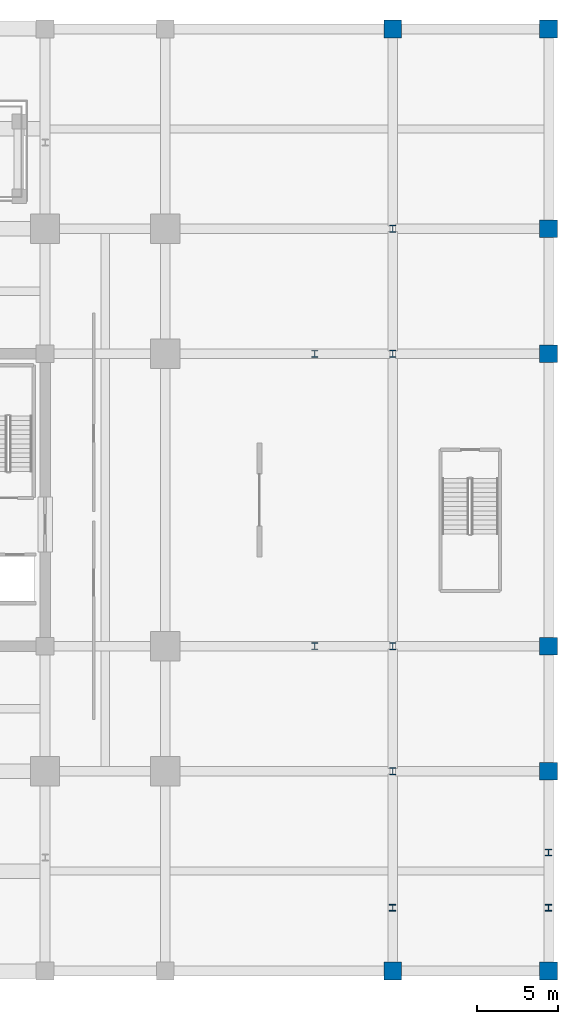
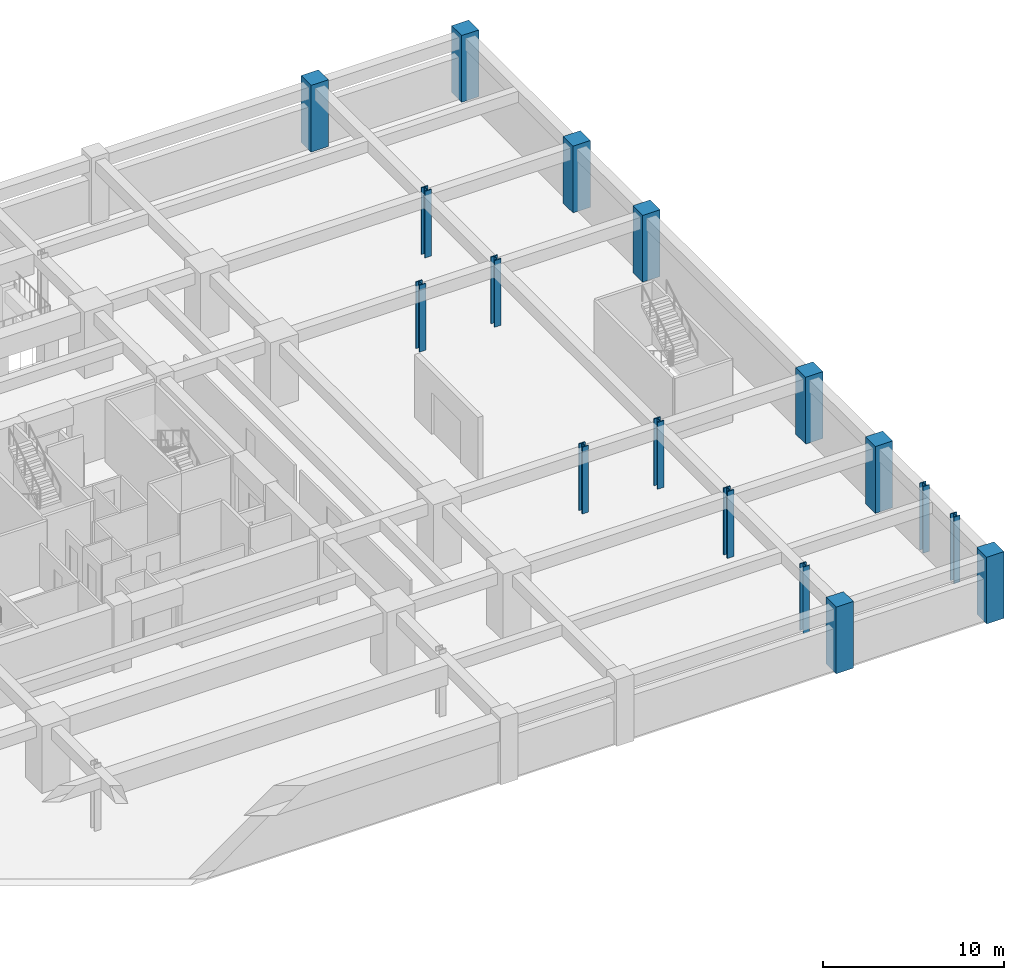
# One storey, part 3 of 16: 17 columns.
"""IFC4 building model written with IfcOpenShell, lengths in metres."""

from ifc_helpers import new_model, si_unit, direction, frame, origin, origin_2d, place, context, subcontext, project, spatial, rectangle, i_section, extrude, material, material_profile, profile_set, type_object, element, save


model = new_model("IFC4")

# Units and contexts
model_context = context("Model", 3, precision=1e-05, world=origin(), true_north=direction((0.0, 1.0)))
body_context = subcontext(model_context, "Body", "Model", "MODEL_VIEW")
ifc_project = project(units=[si_unit("LENGTHUNIT", "METRE"), si_unit("AREAUNIT", "SQUARE_METRE"), si_unit("VOLUMEUNIT", "CUBIC_METRE"), si_unit("PLANEANGLEUNIT", "RADIAN"), si_unit("MASSUNIT", "GRAM", prefix="KILO")], contexts=[model_context])

# Site, building, storey
site_placement = place(None, origin())
site = spatial("IfcSite", under=ifc_project, at=site_placement, CompositionType="ELEMENT")
building_placement = place(site_placement, origin())
building = spatial("IfcBuilding", under=site, at=building_placement, Name="Kovane Verandah Tower", CompositionType="ELEMENT")
storey_placement = place(building_placement, frame((0.0, 0.0, -4.5)))
storey = spatial("IfcBuildingStorey", under=building, at=storey_placement, Name="B1", CompositionType="ELEMENT", Elevation=-4.5)

# Columns
ifc_material_1 = material(Name="Concrete C60/75", Category="concrete")
ifc_material_profile_1 = material_profile(ifc_material_1, rectangle(XDim=1.10009765625, YDim=1.10009765625, at=origin_2d()), Name="RC1100x1100")
ifc_profile_set_1 = profile_set([ifc_material_profile_1], Name="Concrete C60/75")
column_type_1 = type_object("IfcColumnType", Name="COL-POD1100", PredefinedType="COLUMN", material=ifc_profile_set_1)
for number, where, z_axis, x_axis, name in (
    (1, (82.0, -1.5, 0.0), (0.0, 0.0, 1.0), (1.0, 0.0, 0.0), "B1 Podium Column PC-E0"),
    (2, (82.0, 10.800048828125, 0.0), (0.0, 0.0, 1.0), (1.0, 0.0, 0.0), "B1 Podium Column PC-E1"),
    (3, (82.0, 18.5, 0.0), (0.0, 0.0, 1.0), (1.0, 0.0, 0.0), "B1 Podium Column PC-E2"),
    (4, (82.0, 36.5, 0.0), (0.0, 0.0, 1.0), (1.0, 0.0, 0.0), "B1 Podium Column PC-E3"),
    (5, (82.0, 44.199951171875, 0.0), (0.0, 0.0, 1.0), (1.0, 0.0, 0.0), "B1 Podium Column PC-E4"),
    (6, (82.0, 56.5, 0.0), (0.0, 0.0, 1.0), (1.0, 0.0, 0.0), "B1 Podium Column PC-E5"),
    (7, (72.39990234375, -1.5, 0.0), (0.0, 0.0, 1.0), (1.0, 0.0, 0.0), "B1 Podium Column PC-S6"),
    (8, (72.39990234375, 56.5, 0.0), (0.0, 0.0, 1.0), (1.0, 0.0, 0.0), "B1 Podium Column PC-N6"),
):
    element("IfcColumn", number, at=place(storey_placement, frame(where, z_axis=z_axis, x_axis=x_axis)), inside=storey, type_object=column_type_1, Name=name, PredefinedType="COLUMN", context=body_context, shape_type="SweptSolid", body=[
        extrude(rectangle(XDim=1.10009765625, YDim=1.10009765625, at=origin_2d()), origin(), (0.0, 0.0, 1.0), 4.5),
    ])
ifc_material_2 = material(Name="Steel S460", Category="steel")
ifc_material_profile_2 = material_profile(ifc_material_2, i_section(OverallWidth=0.403076171875, OverallDepth=0.406494140625, WebThickness=0.026611328125, FlangeThickness=0.04296875, FilletRadius=0.01513671875, at=origin_2d()), Name="UC356x406x340")
ifc_profile_set_2 = profile_set([ifc_material_profile_2], Name="Steel S460")
column_type_2 = type_object("IfcColumnType", Name="COL-UC340", PredefinedType="COLUMN", material=ifc_profile_set_2)
for number, where, z_axis, x_axis, name in (
    (9, (72.39990234375, 2.39990234375, 0.0), (0.0, 0.0, 1.0), (1.0, 0.0, 0.0), "B1 South Terrace Step Column S1-3"),
    (10, (82.0, 2.39990234375, 0.0), (0.0, 0.0, 1.0), (1.0, 0.0, 0.0), "B1 South Terrace Step Column S1-4"),
    (11, (82.0, 5.800048828125, 0.0), (0.0, 0.0, 1.0), (1.0, 0.0, 0.0), "B1 South Terrace Step Column S2-2"),
):
    element("IfcColumn", number, at=place(storey_placement, frame(where, z_axis=z_axis, x_axis=x_axis)), inside=storey, type_object=column_type_2, Name=name, PredefinedType="COLUMN", context=body_context, shape_type="SweptSolid", body=[
        extrude(i_section(OverallWidth=0.403076171875, OverallDepth=0.406494140625, WebThickness=0.026611328125, FlangeThickness=0.04296875, FilletRadius=0.01513671875, at=origin_2d()), origin(), (0.0, 0.0, 1.0), 4.5),
    ])
ifc_material_profile_3 = material_profile(ifc_material_2, i_section(OverallWidth=0.412109375, OverallDepth=0.4365234375, WebThickness=0.035888671875, FlangeThickness=0.05810546875, FilletRadius=0.01513671875, at=origin_2d()), Name="UC356x406x467")
ifc_profile_set_3 = profile_set([ifc_material_profile_3], Name="Steel S460")
column_type_3 = type_object("IfcColumnType", Name="COL-UC467", PredefinedType="COLUMN", material=ifc_profile_set_3)
for number, where, z_axis, x_axis, name in (
    (12, (67.60009765625, 18.5, 0.0), (0.0, 0.0, 1.0), (1.0, 0.0, 0.0), "B1 Verandah Perimeter Column VC-E1"),
    (13, (67.60009765625, 36.5, 0.0), (0.0, 0.0, 1.0), (1.0, 0.0, 0.0), "B1 Verandah Perimeter Column VC-E2"),
):
    element("IfcColumn", number, at=place(storey_placement, frame(where, z_axis=z_axis, x_axis=x_axis)), inside=storey, type_object=column_type_3, Name=name, PredefinedType="COLUMN", context=body_context, shape_type="SweptSolid", body=[
        extrude(i_section(OverallWidth=0.412109375, OverallDepth=0.4365234375, WebThickness=0.035888671875, FlangeThickness=0.05810546875, FilletRadius=0.01513671875, at=origin_2d()), origin(), (0.0, 0.0, 1.0), 4.5),
    ])
ifc_material_3 = material(Name="Steel S355", Category="steel")
ifc_material_profile_4 = material_profile(ifc_material_3, i_section(OverallWidth=0.41845703125, OverallDepth=0.45556640625, WebThickness=0.0419921875, FlangeThickness=0.0673828125, FilletRadius=0.01513671875, at=origin_2d()), Name="UC356x406x551")
ifc_profile_set_4 = profile_set([ifc_material_profile_4], Name="Steel S355")
column_type_4 = type_object("IfcColumnType", Name="COL-UC551", PredefinedType="COLUMN", material=ifc_profile_set_4)
for number, where, z_axis, x_axis, name in (
    (14, (72.39990234375, 10.800048828125, 0.0), (0.0, 0.0, 1.0), (1.0, 0.0, 0.0), "B1 Podium Column PC-ME1"),
    (15, (72.39990234375, 18.5, 0.0), (0.0, 0.0, 1.0), (1.0, 0.0, 0.0), "B1 Podium Column PC-ME2"),
    (16, (72.39990234375, 36.5, 0.0), (0.0, 0.0, 1.0), (1.0, 0.0, 0.0), "B1 Podium Column PC-ME3"),
    (17, (72.39990234375, 44.199951171875, 0.0), (0.0, 0.0, 1.0), (1.0, 0.0, 0.0), "B1 Podium Column PC-ME4"),
):
    element("IfcColumn", number, at=place(storey_placement, frame(where, z_axis=z_axis, x_axis=x_axis)), inside=storey, type_object=column_type_4, Name=name, PredefinedType="COLUMN", context=body_context, shape_type="SweptSolid", body=[
        extrude(i_section(OverallWidth=0.41845703125, OverallDepth=0.45556640625, WebThickness=0.0419921875, FlangeThickness=0.0673828125, FilletRadius=0.01513671875, at=origin_2d()), origin(), (0.0, 0.0, 1.0), 4.5),
    ])

save(model, "model.ifc")
